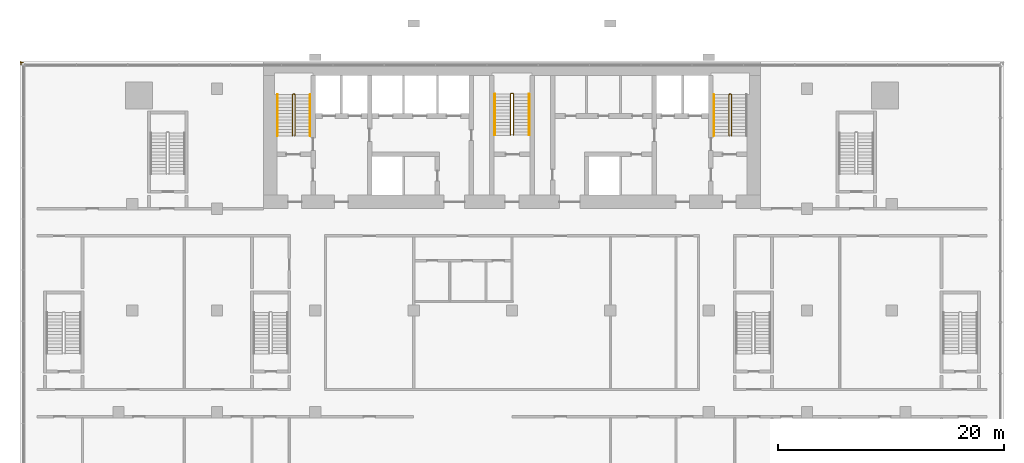
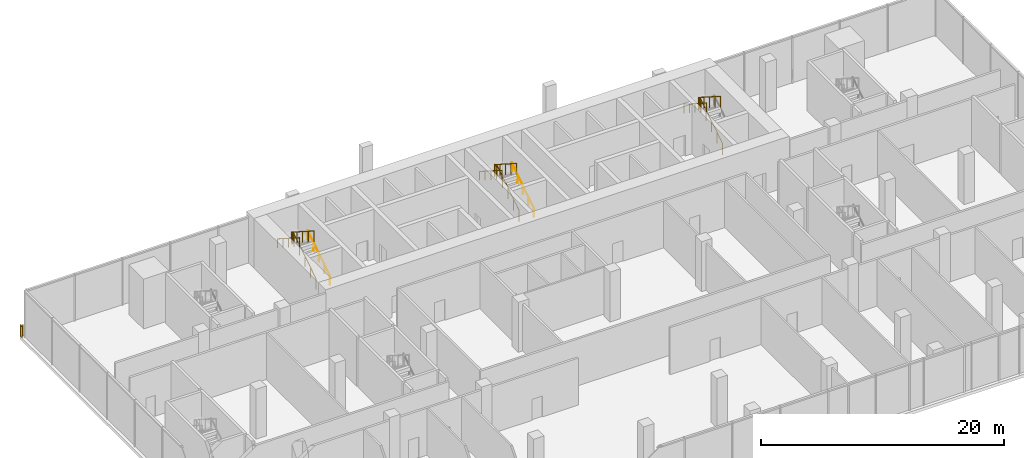
# One storey, part 19 of 20: 9 railings.
"""IFC4 building model written with IfcOpenShell, lengths in metres."""

from ifc_helpers import new_model, si_unit, direction, frame, origin, origin_2d, place, context, subcontext, project, spatial, circle, extrude, material, type_object, element, save


model = new_model("IFC4")

# Units and contexts
model_context = context("Model", 3, precision=1e-05, world=origin(), true_north=direction((0.0, 1.0)))
body_context = subcontext(model_context, "Body", "Model", "MODEL_VIEW")
ifc_project = project(units=[si_unit("LENGTHUNIT", "METRE"), si_unit("AREAUNIT", "SQUARE_METRE"), si_unit("VOLUMEUNIT", "CUBIC_METRE"), si_unit("PLANEANGLEUNIT", "RADIAN"), si_unit("MASSUNIT", "GRAM", prefix="KILO")], contexts=[model_context])

# Site, building, storey
site_placement = place(None, origin())
site = spatial("IfcSite", under=ifc_project, at=site_placement, CompositionType="ELEMENT")
building_placement = place(site_placement, origin())
building = spatial("IfcBuilding", under=site, at=building_placement, Name="Bicima Exchange Tower", CompositionType="ELEMENT")
storey_placement = place(building_placement, frame((0.0, 0.0, 25.0)))
storey = spatial("IfcBuildingStorey", under=building, at=storey_placement, Name="L04", CompositionType="ELEMENT", Elevation=25.0)

# Railings
ifc_material_1 = material(Name="Stainless steel and bonded safety glass", Category="steel")
railing_type_1 = type_object("IfcRailingType", Name="Edge guard 1100", PredefinedType="GUARDRAIL", material=ifc_material_1)
railing_1_placement = place(storey_placement, frame((-43.449951171875, -0.25, 0.0)))
element("IfcRailing", 1, at=railing_1_placement, inside=storey, type_object=railing_type_1, Name="Edge guard L04 13", PredefinedType="GUARDRAIL", context=body_context, shape_type="SweptSolid", body=[
    extrude(circle(Radius=0.02392578125, at=origin_2d()), frame((0.0, 0.0, 1.076171875), z_axis=(0.0, 1.0, 0.0), x_axis=(-1.0, 0.0, 0.0)), (0.0, 0.0, 1.0), 0.25),
    extrude(circle(Radius=0.02392578125, at=origin_2d()), frame((0.0, 0.25, 1.076171875), z_axis=(-0.707106781187, -0.707106781187, 0.0), x_axis=(0.707106781187, -0.707106781187, 0.0)), (0.0, 0.0, 1.0), 0.07080078125),
    extrude(circle(Radius=0.02392578125, at=origin_2d()), frame((-0.050048828125, 0.199951171875, 1.076171875), z_axis=(1.0, 0.0, 0.0), x_axis=(0.0, 1.0, 0.0)), (0.0, 0.0, 1.0), 0.25),
    extrude(circle(Radius=0.02099609375, at=origin_2d()), origin(), (0.0, 0.0, 1.0), 1.052001953125),
    extrude(circle(Radius=0.02099609375, at=origin_2d()), frame((0.0, 0.25, 0.0)), (0.0, 0.0, 1.0), 1.052001953125),
    extrude(circle(Radius=0.02099609375, at=origin_2d()), frame((-0.050048828125, 0.199951171875, 0.0)), (0.0, 0.0, 1.0), 1.052001953125),
    extrude(circle(Radius=0.02099609375, at=origin_2d()), frame((0.199951171875, 0.199951171875, 0.0)), (0.0, 0.0, 1.0), 1.052001953125),
])
ifc_material_2 = material(Name="Stainless steel", Category="steel")
railing_type_2 = type_object("IfcRailingType", Name="Stair guard 1100", PredefinedType="GUARDRAIL", material=ifc_material_2)
railing_2_placement = place(storey_placement, frame((-19.199951171875, -6.550048828125, 0.178466796875)))
element("IfcRailing", 2, at=railing_2_placement, inside=storey, type_object=railing_type_2, Name="L04 ST-W stair guard 1", PredefinedType="GUARDRAIL", context=body_context, shape_type="SweptSolid", body=[
    extrude(circle(Radius=0.02392578125, at=origin_2d()), frame((0.0, 0.0, 1.076171875), z_axis=(0.0, 0.843127859045, 0.537713132908), x_axis=(-1.0, 0.0, 0.0)), (0.0, 0.0, 1.0), 4.3173828125),
    extrude(circle(Radius=0.02392578125, at=origin_2d()), frame((0.0, 3.64013671875, 3.3974609375), z_axis=(-0.708833529934, 0.705375805398, 0.0), x_axis=(-0.705375805398, -0.708833529934, 0.0)), (0.0, 0.0, 1.0), 0.070556640625),
    extrude(circle(Radius=0.02392578125, at=origin_2d()), frame((-0.050048828125, 3.68994140625, 3.3974609375), z_axis=(-1.0, 0.0, 0.0), x_axis=(0.0, -1.0, 0.0)), (0.0, 0.0, 1.0), 0.10009765625),
    extrude(circle(Radius=0.02392578125, at=origin_2d()), frame((-0.150146484375, 3.68994140625, 3.3974609375), z_axis=(-0.259584636361, -0.259584636361, 0.930178280294), x_axis=(0.707106781187, -0.707106781187, 0.0)), (0.0, 0.0, 1.0), 0.19189453125),
    extrude(circle(Radius=0.02392578125, at=origin_2d()), frame((-0.199951171875, 3.64013671875, 3.576171875), z_axis=(0.0, -0.843127859045, 0.537713132908), x_axis=(1.0, 0.0, 0.0)), (0.0, 0.0, 1.0), 4.3173828125),
    extrude(circle(Radius=0.02099609375, at=origin_2d()), origin(), (0.0, 0.0, 1.0), 1.052001953125),
    extrude(circle(Radius=0.02099609375, at=origin_2d()), frame((0.0, 0.91015625, 0.580322265625)), (0.0, 0.0, 1.0), 1.052001953125),
    extrude(circle(Radius=0.02099609375, at=origin_2d()), frame((0.0, 1.820068359375, 1.16064453125)), (0.0, 0.0, 1.0), 1.052001953125),
    extrude(circle(Radius=0.02099609375, at=origin_2d()), frame((0.0, 2.72998046875, 1.7412109375)), (0.0, 0.0, 1.0), 1.052001953125),
    extrude(circle(Radius=0.02099609375, at=origin_2d()), frame((0.0, 3.64013671875, 2.321533203125)), (0.0, 0.0, 1.0), 1.052001953125),
    extrude(circle(Radius=0.02099609375, at=origin_2d()), frame((-0.050048828125, 3.68994140625, 2.321533203125)), (0.0, 0.0, 1.0), 1.052001953125),
    extrude(circle(Radius=0.02099609375, at=origin_2d()), frame((-0.150146484375, 3.68994140625, 2.321533203125)), (0.0, 0.0, 1.0), 1.052001953125),
    extrude(circle(Radius=0.02099609375, at=origin_2d()), frame((-0.199951171875, 3.64013671875, 2.5)), (0.0, 0.0, 1.0), 1.052001953125),
    extrude(circle(Radius=0.02099609375, at=origin_2d()), frame((-0.199951171875, 2.72998046875, 3.080322265625)), (0.0, 0.0, 1.0), 1.052001953125),
    extrude(circle(Radius=0.02099609375, at=origin_2d()), frame((-0.199951171875, 1.820068359375, 3.66064453125)), (0.0, 0.0, 1.0), 1.052001953125),
    extrude(circle(Radius=0.02099609375, at=origin_2d()), frame((-0.199951171875, 0.91015625, 4.2412109375)), (0.0, 0.0, 1.0), 1.052001953125),
    extrude(circle(Radius=0.02099609375, at=origin_2d()), frame((-0.199951171875, 0.0, 4.821533203125)), (0.0, 0.0, 1.0), 1.052001953125),
])
railing_3_placement = place(storey_placement, frame((0.125, -6.5, 0.178466796875)))
element("IfcRailing", 3, at=railing_3_placement, inside=storey, type_object=railing_type_2, Name="L04 ST-C stair guard 1", PredefinedType="GUARDRAIL", context=body_context, shape_type="SweptSolid", body=[
    extrude(circle(Radius=0.02392578125, at=origin_2d()), frame((0.0, 0.0, 1.076171875), z_axis=(0.0, 0.843111507901, 0.53773877045), x_axis=(-1.0, 0.0, 0.0)), (0.0, 0.0, 1.0), 4.317138671875),
    extrude(circle(Radius=0.02392578125, at=origin_2d()), frame((0.0, 3.639892578125, 3.3974609375), z_axis=(-0.707106781187, 0.707106781187, 0.0), x_axis=(-0.707106781187, -0.707106781187, 0.0)), (0.0, 0.0, 1.0), 0.07080078125),
    extrude(circle(Radius=0.02392578125, at=origin_2d()), frame((-0.050048828125, 3.68994140625, 3.3974609375), z_axis=(-1.0, 0.0, 0.0), x_axis=(0.0, -1.0, 0.0)), (0.0, 0.0, 1.0), 0.14990234375),
    extrude(circle(Radius=0.02392578125, at=origin_2d()), frame((-0.199951171875, 3.68994140625, 3.3974609375), z_axis=(-0.260684529273, -0.260684529273, 0.929562882432), x_axis=(0.707106781187, -0.707106781187, 0.0)), (0.0, 0.0, 1.0), 0.19189453125),
    extrude(circle(Radius=0.02392578125, at=origin_2d()), frame((-0.25, 3.639892578125, 3.576171875), z_axis=(0.0, -0.843111507901, 0.53773877045), x_axis=(1.0, 0.0, 0.0)), (0.0, 0.0, 1.0), 4.317138671875),
    extrude(circle(Radius=0.02099609375, at=origin_2d()), origin(), (0.0, 0.0, 1.0), 1.052001953125),
    extrude(circle(Radius=0.02099609375, at=origin_2d()), frame((0.0, 0.909912109375, 0.580322265625)), (0.0, 0.0, 1.0), 1.052001953125),
    extrude(circle(Radius=0.02099609375, at=origin_2d()), frame((0.0, 1.81982421875, 1.16064453125)), (0.0, 0.0, 1.0), 1.052001953125),
    extrude(circle(Radius=0.02099609375, at=origin_2d()), frame((0.0, 2.72998046875, 1.7412109375)), (0.0, 0.0, 1.0), 1.052001953125),
    extrude(circle(Radius=0.02099609375, at=origin_2d()), frame((0.0, 3.639892578125, 2.321533203125)), (0.0, 0.0, 1.0), 1.052001953125),
    extrude(circle(Radius=0.02099609375, at=origin_2d()), frame((-0.050048828125, 3.68994140625, 2.321533203125)), (0.0, 0.0, 1.0), 1.052001953125),
    extrude(circle(Radius=0.02099609375, at=origin_2d()), frame((-0.199951171875, 3.68994140625, 2.321533203125)), (0.0, 0.0, 1.0), 1.052001953125),
    extrude(circle(Radius=0.02099609375, at=origin_2d()), frame((-0.25, 3.639892578125, 2.5)), (0.0, 0.0, 1.0), 1.052001953125),
    extrude(circle(Radius=0.02099609375, at=origin_2d()), frame((-0.25, 2.72998046875, 3.080322265625)), (0.0, 0.0, 1.0), 1.052001953125),
    extrude(circle(Radius=0.02099609375, at=origin_2d()), frame((-0.25, 1.81982421875, 3.66064453125)), (0.0, 0.0, 1.0), 1.052001953125),
    extrude(circle(Radius=0.02099609375, at=origin_2d()), frame((-0.25, 0.909912109375, 4.2412109375)), (0.0, 0.0, 1.0), 1.052001953125),
    extrude(circle(Radius=0.02099609375, at=origin_2d()), frame((-0.25, 0.0, 4.821533203125)), (0.0, 0.0, 1.0), 1.052001953125),
])
railing_4_placement = place(storey_placement, frame((19.39990234375, -6.550048828125, 0.178466796875)))
element("IfcRailing", 4, at=railing_4_placement, inside=storey, type_object=railing_type_2, Name="L04 ST-E stair guard 1", PredefinedType="GUARDRAIL", context=body_context, shape_type="SweptSolid", body=[
    extrude(circle(Radius=0.02392578125, at=origin_2d()), frame((0.0, 0.0, 1.076171875), z_axis=(0.0, 0.843127859045, 0.537713132908), x_axis=(-1.0, 0.0, 0.0)), (0.0, 0.0, 1.0), 4.3173828125),
    extrude(circle(Radius=0.02392578125, at=origin_2d()), frame((0.0, 3.64013671875, 3.3974609375), z_axis=(-0.707106781187, 0.707106781187, 0.0), x_axis=(-0.707106781187, -0.707106781187, 0.0)), (0.0, 0.0, 1.0), 0.0703125),
    extrude(circle(Radius=0.02392578125, at=origin_2d()), frame((-0.0498046875, 3.68994140625, 3.3974609375), z_axis=(-1.0, 0.0, 0.0), x_axis=(0.0, -1.0, 0.0)), (0.0, 0.0, 1.0), 0.10009765625),
    extrude(circle(Radius=0.02392578125, at=origin_2d()), frame((-0.14990234375, 3.68994140625, 3.3974609375), z_axis=(-0.26077077684, -0.25949872427, 0.929870428634), x_axis=(0.705375805398, -0.708833529934, 0.0)), (0.0, 0.0, 1.0), 0.19189453125),
    extrude(circle(Radius=0.02392578125, at=origin_2d()), frame((-0.199951171875, 3.64013671875, 3.576171875), z_axis=(0.0, -0.843127859045, 0.537713132908), x_axis=(1.0, 0.0, 0.0)), (0.0, 0.0, 1.0), 4.3173828125),
    extrude(circle(Radius=0.02099609375, at=origin_2d()), origin(), (0.0, 0.0, 1.0), 1.052001953125),
    extrude(circle(Radius=0.02099609375, at=origin_2d()), frame((0.0, 0.91015625, 0.580322265625)), (0.0, 0.0, 1.0), 1.052001953125),
    extrude(circle(Radius=0.02099609375, at=origin_2d()), frame((0.0, 1.820068359375, 1.16064453125)), (0.0, 0.0, 1.0), 1.052001953125),
    extrude(circle(Radius=0.02099609375, at=origin_2d()), frame((0.0, 2.72998046875, 1.7412109375)), (0.0, 0.0, 1.0), 1.052001953125),
    extrude(circle(Radius=0.02099609375, at=origin_2d()), frame((0.0, 3.64013671875, 2.321533203125)), (0.0, 0.0, 1.0), 1.052001953125),
    extrude(circle(Radius=0.02099609375, at=origin_2d()), frame((-0.0498046875, 3.68994140625, 2.321533203125)), (0.0, 0.0, 1.0), 1.052001953125),
    extrude(circle(Radius=0.02099609375, at=origin_2d()), frame((-0.14990234375, 3.68994140625, 2.321533203125)), (0.0, 0.0, 1.0), 1.052001953125),
    extrude(circle(Radius=0.02099609375, at=origin_2d()), frame((-0.199951171875, 3.64013671875, 2.5)), (0.0, 0.0, 1.0), 1.052001953125),
    extrude(circle(Radius=0.02099609375, at=origin_2d()), frame((-0.199951171875, 2.72998046875, 3.080322265625)), (0.0, 0.0, 1.0), 1.052001953125),
    extrude(circle(Radius=0.02099609375, at=origin_2d()), frame((-0.199951171875, 1.820068359375, 3.66064453125)), (0.0, 0.0, 1.0), 1.052001953125),
    extrude(circle(Radius=0.02099609375, at=origin_2d()), frame((-0.199951171875, 0.91015625, 4.2412109375)), (0.0, 0.0, 1.0), 1.052001953125),
    extrude(circle(Radius=0.02099609375, at=origin_2d()), frame((-0.199951171875, 0.0, 4.821533203125)), (0.0, 0.0, 1.0), 1.052001953125),
])
railing_type_3 = type_object("IfcRailingType", Name="Stair handrail 900", PredefinedType="HANDRAIL", material=ifc_material_2)
railing_5_placement = place(storey_placement, frame((-17.85009765625, -6.550048828125, 0.178466796875)))
element("IfcRailing", 5, at=railing_5_placement, inside=storey, type_object=railing_type_3, Name="L04 ST-W stair handrail 1", PredefinedType="HANDRAIL", context=body_context, shape_type="SweptSolid", body=[
    extrude(circle(Radius=0.02392578125, at=origin_2d()), frame((0.0, 0.0, 0.8759765625), z_axis=(0.0, 0.843127859045, 0.537713132908), x_axis=(-1.0, 0.0, 0.0)), (0.0, 0.0, 1.0), 4.3173828125),
    extrude(circle(Radius=0.02099609375, at=origin_2d()), origin(), (0.0, 0.0, 1.0), 0.851806640625),
    extrude(circle(Radius=0.02099609375, at=origin_2d()), frame((0.0, 0.91015625, 0.580322265625)), (0.0, 0.0, 1.0), 0.851806640625),
    extrude(circle(Radius=0.02099609375, at=origin_2d()), frame((0.0, 1.820068359375, 1.16064453125)), (0.0, 0.0, 1.0), 0.851806640625),
    extrude(circle(Radius=0.02099609375, at=origin_2d()), frame((0.0, 2.72998046875, 1.7412109375)), (0.0, 0.0, 1.0), 0.851806640625),
    extrude(circle(Radius=0.02099609375, at=origin_2d()), frame((0.0, 3.64013671875, 2.321533203125)), (0.0, 0.0, 1.0), 0.851806640625),
])
railing_6_placement = place(storey_placement, frame((-20.75, -2.909912109375, 2.678466796875)))
element("IfcRailing", 6, at=railing_6_placement, inside=storey, type_object=railing_type_3, Name="L04 ST-W stair handrail 2", PredefinedType="HANDRAIL", context=body_context, shape_type="SweptSolid", body=[
    extrude(circle(Radius=0.02392578125, at=origin_2d()), frame((0.0, 0.0, 0.8759765625), z_axis=(0.0, -0.843127859045, 0.537713132908), x_axis=(1.0, 0.0, 0.0)), (0.0, 0.0, 1.0), 4.3173828125),
    extrude(circle(Radius=0.02099609375, at=origin_2d()), origin(), (0.0, 0.0, 1.0), 0.851806640625),
    extrude(circle(Radius=0.02099609375, at=origin_2d()), frame((0.0, -0.91015625, 0.580322265625)), (0.0, 0.0, 1.0), 0.851806640625),
    extrude(circle(Radius=0.02099609375, at=origin_2d()), frame((0.0, -1.820068359375, 1.16064453125)), (0.0, 0.0, 1.0), 0.851806640625),
    extrude(circle(Radius=0.02099609375, at=origin_2d()), frame((0.0, -2.72998046875, 1.7412109375)), (0.0, 0.0, 1.0), 0.851806640625),
    extrude(circle(Radius=0.02099609375, at=origin_2d()), frame((0.0, -3.64013671875, 2.321533203125)), (0.0, 0.0, 1.0), 0.851806640625),
])
railing_7_placement = place(storey_placement, frame((1.52490234375, -6.5, 0.178466796875)))
element("IfcRailing", 7, at=railing_7_placement, inside=storey, type_object=railing_type_3, Name="L04 ST-C stair handrail 1", PredefinedType="HANDRAIL", context=body_context, shape_type="SweptSolid", body=[
    extrude(circle(Radius=0.02392578125, at=origin_2d()), frame((0.0, 0.0, 0.8759765625), z_axis=(0.0, 0.843111507901, 0.53773877045), x_axis=(-1.0, 0.0, 0.0)), (0.0, 0.0, 1.0), 4.317138671875),
    extrude(circle(Radius=0.02099609375, at=origin_2d()), origin(), (0.0, 0.0, 1.0), 0.851806640625),
    extrude(circle(Radius=0.02099609375, at=origin_2d()), frame((0.0, 0.909912109375, 0.580322265625)), (0.0, 0.0, 1.0), 0.851806640625),
    extrude(circle(Radius=0.02099609375, at=origin_2d()), frame((0.0, 1.81982421875, 1.16064453125)), (0.0, 0.0, 1.0), 0.851806640625),
    extrude(circle(Radius=0.02099609375, at=origin_2d()), frame((0.0, 2.72998046875, 1.7412109375)), (0.0, 0.0, 1.0), 0.851806640625),
    extrude(circle(Radius=0.02099609375, at=origin_2d()), frame((0.0, 3.639892578125, 2.321533203125)), (0.0, 0.0, 1.0), 0.851806640625),
])
railing_8_placement = place(storey_placement, frame((-1.52490234375, -2.860107421875, 2.678466796875)))
element("IfcRailing", 8, at=railing_8_placement, inside=storey, type_object=railing_type_3, Name="L04 ST-C stair handrail 2", PredefinedType="HANDRAIL", context=body_context, shape_type="SweptSolid", body=[
    extrude(circle(Radius=0.02392578125, at=origin_2d()), frame((0.0, 0.0, 0.8759765625), z_axis=(0.0, -0.843111507901, 0.53773877045), x_axis=(1.0, 0.0, 0.0)), (0.0, 0.0, 1.0), 4.317138671875),
    extrude(circle(Radius=0.02099609375, at=origin_2d()), origin(), (0.0, 0.0, 1.0), 0.851806640625),
    extrude(circle(Radius=0.02099609375, at=origin_2d()), frame((0.0, -0.909912109375, 0.580322265625)), (0.0, 0.0, 1.0), 0.851806640625),
    extrude(circle(Radius=0.02099609375, at=origin_2d()), frame((0.0, -1.81982421875, 1.16064453125)), (0.0, 0.0, 1.0), 0.851806640625),
    extrude(circle(Radius=0.02099609375, at=origin_2d()), frame((0.0, -2.72998046875, 1.7412109375)), (0.0, 0.0, 1.0), 0.851806640625),
    extrude(circle(Radius=0.02099609375, at=origin_2d()), frame((0.0, -3.639892578125, 2.321533203125)), (0.0, 0.0, 1.0), 0.851806640625),
])
railing_9_placement = place(storey_placement, frame((17.85009765625, -2.909912109375, 2.678466796875)))
element("IfcRailing", 9, at=railing_9_placement, inside=storey, type_object=railing_type_3, Name="L04 ST-E stair handrail 2", PredefinedType="HANDRAIL", context=body_context, shape_type="SweptSolid", body=[
    extrude(circle(Radius=0.02392578125, at=origin_2d()), frame((0.0, 0.0, 0.8759765625), z_axis=(0.0, -0.843127859045, 0.537713132908), x_axis=(1.0, 0.0, 0.0)), (0.0, 0.0, 1.0), 4.3173828125),
    extrude(circle(Radius=0.02099609375, at=origin_2d()), origin(), (0.0, 0.0, 1.0), 0.851806640625),
    extrude(circle(Radius=0.02099609375, at=origin_2d()), frame((0.0, -0.91015625, 0.580322265625)), (0.0, 0.0, 1.0), 0.851806640625),
    extrude(circle(Radius=0.02099609375, at=origin_2d()), frame((0.0, -1.820068359375, 1.16064453125)), (0.0, 0.0, 1.0), 0.851806640625),
    extrude(circle(Radius=0.02099609375, at=origin_2d()), frame((0.0, -2.72998046875, 1.7412109375)), (0.0, 0.0, 1.0), 0.851806640625),
    extrude(circle(Radius=0.02099609375, at=origin_2d()), frame((0.0, -3.64013671875, 2.321533203125)), (0.0, 0.0, 1.0), 0.851806640625),
])

save(model, "model.ifc")
